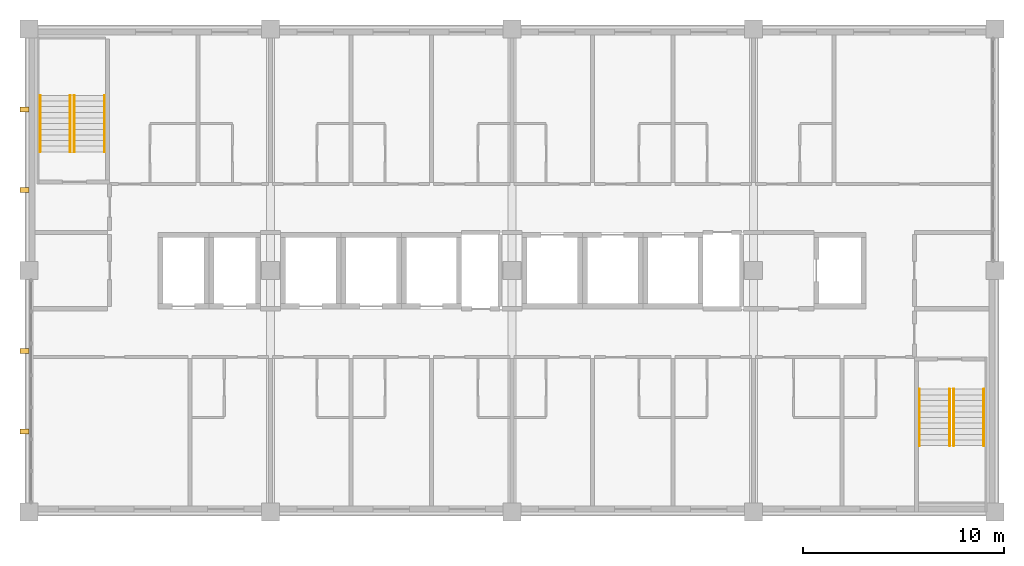
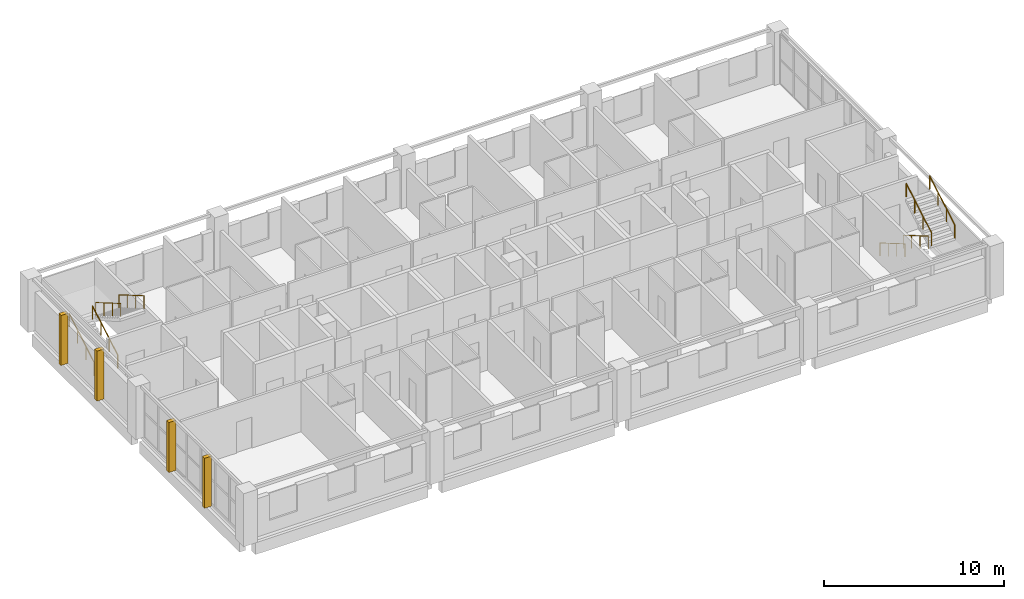
# One storey, part 11 of 11: 8 railings, 4 coverings.
"""IFC4 building model written with IfcOpenShell, lengths in metres."""

from ifc_helpers import new_model, si_unit, direction, frame, frame_2d, origin, origin_2d, place, context, subcontext, project, spatial, rectangle, circle, extrude, material, layer, layer_set, type_object, element, save


model = new_model("IFC4")

# Units and contexts
model_context = context("Model", 3, precision=1e-05, world=origin(), true_north=direction((0.0, 1.0)))
body_context = subcontext(model_context, "Body", "Model", "MODEL_VIEW")
ifc_project = project(units=[si_unit("LENGTHUNIT", "METRE"), si_unit("AREAUNIT", "SQUARE_METRE"), si_unit("VOLUMEUNIT", "CUBIC_METRE"), si_unit("PLANEANGLEUNIT", "RADIAN"), si_unit("MASSUNIT", "GRAM", prefix="KILO")], contexts=[model_context])

# Site, building, storey
site_placement = place(None, origin())
site = spatial("IfcSite", under=ifc_project, at=site_placement, CompositionType="ELEMENT")
building_placement = place(site_placement, origin())
building = spatial("IfcBuilding", under=site, at=building_placement, Name="Lilac Gate Convention Centre", CompositionType="ELEMENT")
storey_placement = place(building_placement, frame((0.0, 0.0, 24.60009765625)))
storey = spatial("IfcBuildingStorey", under=building, at=storey_placement, Name="L05", CompositionType="ELEMENT", Elevation=24.60009765625)

# Coverings
ifc_material_1 = material(Name="Concrete C40 precast", Category="concrete")
ifc_layer_1 = layer(ifc_material_1, 0.22998046875)
ifc_material_2 = material(Name="Terracotta glazed cladding", Category="masonry")
ifc_layer_2 = layer(ifc_material_2, 0.02001953125)
ifc_layer_set = layer_set([ifc_layer_1, ifc_layer_2], Name="Concrete C40 precast, Terracotta glazed cladding")
covering_type = type_object("IfcCoveringType", Name="Precast fin 250 x 450", PredefinedType="CLADDING", material=ifc_layer_set)
for number, where, z_axis, x_axis, name in (
    (1, (41.550048828125, 226.0, 0.0), (0.0, 0.0, 1.0), (1.0, 0.0, 0.0), "Precast fin west L05 226"),
    (2, (41.550048828125, 230.0, 0.0), (0.0, 0.0, 1.0), (1.0, 0.0, 0.0), "Precast fin west L05 230"),
    (3, (41.550048828125, 238.0, 0.0), (0.0, 0.0, 1.0), (1.0, 0.0, 0.0), "Precast fin west L05 238"),
    (4, (41.550048828125, 242.0, 0.0), (0.0, 0.0, 1.0), (1.0, 0.0, 0.0), "Precast fin west L05 242"),
):
    element("IfcCovering", number, at=place(storey_placement, frame(where, z_axis=z_axis, x_axis=x_axis)), inside=storey, type_object=covering_type, Name=name, PredefinedType="CLADDING", context=body_context, shape_type="SweptSolid", body=[
        extrude(rectangle(XDim=0.449951171875, YDim=0.25, at=frame_2d((0.22509765625, 0.0))), origin(), (0.0, 0.0, 1.0), 3.39990234375),
    ])

# Railings
ifc_material_3 = material(Name="Stainless steel 304", Category="steel")
railing_type = type_object("IfcRailingType", Name="Stair handrail", PredefinedType="HANDRAIL", material=ifc_material_3)
for number, where, name in (
    (5, (42.550048828125, 239.89990234375, 0.16357421875), "Handrail NW L05 flight 1"),
    (6, (44.050048828125, 239.89990234375, 0.16357421875), "Handrail NW L05 flight 1"),
):
    element("IfcRailing", number, at=place(storey_placement, frame(where)), inside=storey, type_object=railing_type, Name=name, PredefinedType="HANDRAIL", context=body_context, shape_type="SweptSolid", body=[
        extrude(circle(Radius=0.02392578125, at=origin_2d()), frame((0.0, 0.0, 0.8759765625), z_axis=(0.0, 0.863393664356, 0.504530851732), x_axis=(-1.0, 0.0, 0.0)), (0.0, 0.0, 1.0), 3.2431640625),
        extrude(circle(Radius=0.02099609375, at=origin_2d()), origin(), (0.0, 0.0, 1.0), 0.851806640625),
        extrude(circle(Radius=0.02099609375, at=origin_2d()), frame((0.0, 0.933349609375, 0.54541015625)), (0.0, 0.0, 1.0), 0.851806640625),
        extrude(circle(Radius=0.02099609375, at=origin_2d()), frame((0.0, 1.86669921875, 1.0908203125)), (0.0, 0.0, 1.0), 0.851806640625),
        extrude(circle(Radius=0.02099609375, at=origin_2d()), frame((0.0, 2.800048828125, 1.63623046875)), (0.0, 0.0, 1.0), 0.851806640625),
    ])
for number, where, name in (
    (7, (45.75, 242.699951171875, 1.963623046875), "Handrail NW L05 flight 2"),
    (8, (44.25, 242.699951171875, 1.963623046875), "Handrail NW L05 flight 2"),
    (9, (87.75, 228.10009765625, 0.16357421875), "Handrail SE L05 flight 1"),
    (10, (86.25, 228.10009765625, 0.16357421875), "Handrail SE L05 flight 1"),
):
    element("IfcRailing", number, at=place(storey_placement, frame(where)), inside=storey, type_object=railing_type, Name=name, PredefinedType="HANDRAIL", context=body_context, shape_type="SweptSolid", body=[
        extrude(circle(Radius=0.02392578125, at=origin_2d()), frame((0.0, 0.0, 0.8759765625), z_axis=(0.0, -0.863393664356, 0.504530851732), x_axis=(1.0, 0.0, 0.0)), (0.0, 0.0, 1.0), 3.2431640625),
        extrude(circle(Radius=0.02099609375, at=origin_2d()), origin(), (0.0, 0.0, 1.0), 0.851806640625),
        extrude(circle(Radius=0.02099609375, at=origin_2d()), frame((0.0, -0.933349609375, 0.54541015625)), (0.0, 0.0, 1.0), 0.851806640625),
        extrude(circle(Radius=0.02099609375, at=origin_2d()), frame((0.0, -1.86669921875, 1.0908203125)), (0.0, 0.0, 1.0), 0.851806640625),
        extrude(circle(Radius=0.02099609375, at=origin_2d()), frame((0.0, -2.800048828125, 1.63623046875)), (0.0, 0.0, 1.0), 0.851806640625),
    ])
for number, where, name in (
    (11, (87.949951171875, 225.300048828125, 1.963623046875), "Handrail SE L05 flight 2"),
    (12, (89.449951171875, 225.300048828125, 1.963623046875), "Handrail SE L05 flight 2"),
):
    element("IfcRailing", number, at=place(storey_placement, frame(where)), inside=storey, type_object=railing_type, Name=name, PredefinedType="HANDRAIL", context=body_context, shape_type="SweptSolid", body=[
        extrude(circle(Radius=0.02392578125, at=origin_2d()), frame((0.0, 0.0, 0.8759765625), z_axis=(0.0, 0.863393664356, 0.504530851732), x_axis=(-1.0, 0.0, 0.0)), (0.0, 0.0, 1.0), 3.2431640625),
        extrude(circle(Radius=0.02099609375, at=origin_2d()), origin(), (0.0, 0.0, 1.0), 0.851806640625),
        extrude(circle(Radius=0.02099609375, at=origin_2d()), frame((0.0, 0.933349609375, 0.54541015625)), (0.0, 0.0, 1.0), 0.851806640625),
        extrude(circle(Radius=0.02099609375, at=origin_2d()), frame((0.0, 1.86669921875, 1.0908203125)), (0.0, 0.0, 1.0), 0.851806640625),
        extrude(circle(Radius=0.02099609375, at=origin_2d()), frame((0.0, 2.800048828125, 1.63623046875)), (0.0, 0.0, 1.0), 0.851806640625),
    ])

save(model, "model.ifc")
